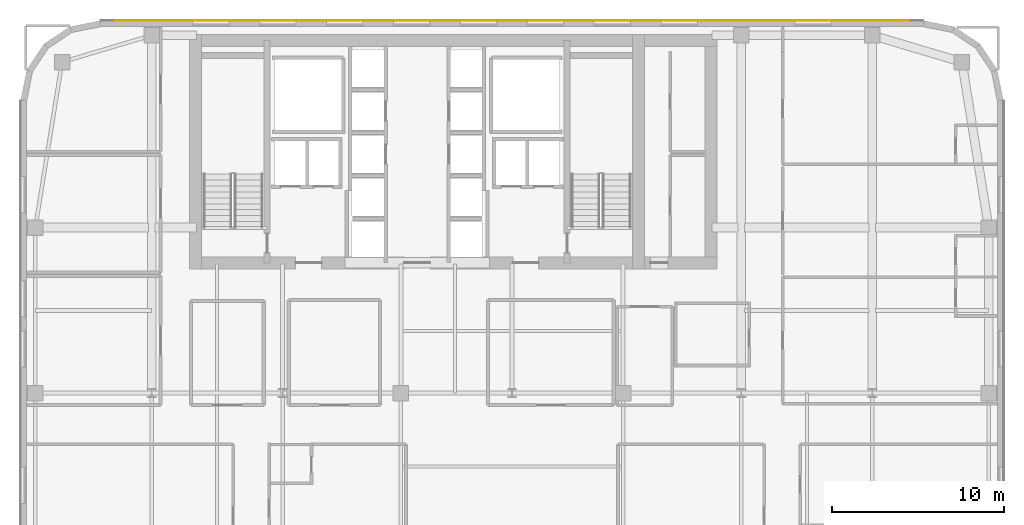
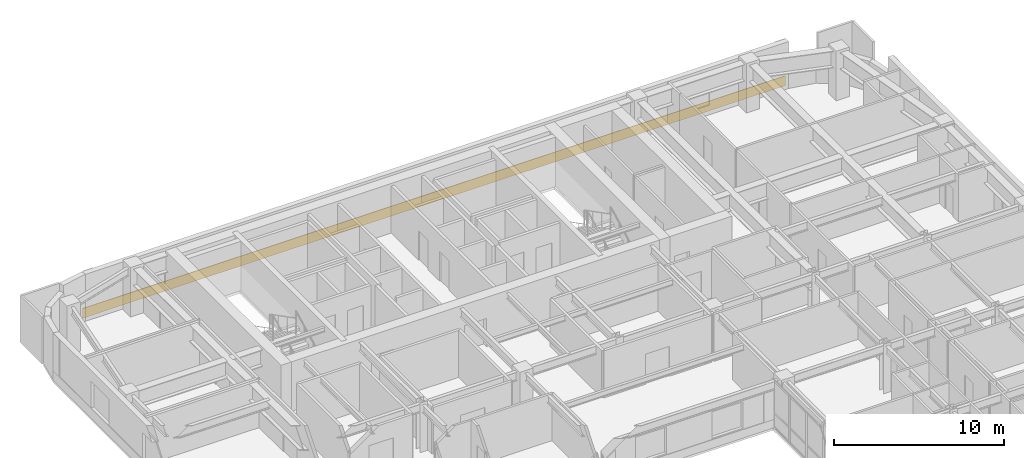
# One storey, part 23 of 24: 1 covering.
"""IFC4 building model written with IfcOpenShell, lengths in metres."""

import ifcopenshell
import ifcopenshell.guid

model = None  # the IFC model being written
_history = None  # IfcOwnerHistory: only IFC2X3 demands one
_inside = {}  # id of a spatial element -> (the spatial element, [elements in it])
_under = {}  # id of a project, library or spatial element -> (it, [spatial elements below it])
_declared = {}  # id of a project -> (the project, [libraries it declares])
_typed = {}  # id of a type object -> (the type object, [elements of that type])
_made_of = {}  # id of a material, layer set ... -> (it, [elements and type objects made of it])


def new_model(schema):
    """Start an empty IFC model of exactly this schema.

    Asked for "IFC4X3", IfcOpenShell would pick the latest addendum, in which some entities
    have other attributes; the version numbers below select the first issue.
    IFC2X3 requires an IfcOwnerHistory on every rooted entity: one is made here for all.
    """
    global model, _history
    if schema == "IFC4X3":
        model = ifcopenshell.file(schema_version=(4, 3, 0, 0))
    else:
        model = ifcopenshell.file(schema=schema)
    _inside.clear()
    _under.clear()
    _declared.clear()
    _typed.clear()
    _made_of.clear()
    _history = None
    if model.schema == "IFC2X3":
        org = make("IfcOrganization", Name="unknown")
        user = make(
            "IfcPersonAndOrganization",
            ThePerson=make("IfcPerson", FamilyName="unknown"),
            TheOrganization=org,
        )
        app = make(
            "IfcApplication",
            ApplicationDeveloper=org,
            Version="unknown",
            ApplicationFullName="unknown",
            ApplicationIdentifier="unknown",
        )
        _history = make(
            "IfcOwnerHistory",
            OwningUser=user,
            OwningApplication=app,
            ChangeAction="ADDED",
            CreationDate=0,
        )
    return model


def make(cls, **values):
    """One entity of the class cls with the attributes given. An attribute that is None is left unset."""
    return model.create_entity(
        cls, **{name: value for name, value in values.items() if value is not None}
    )


def rooted(cls, **values):
    """An entity with a GlobalId (a new one), such as an element, a storey or a relation."""
    return make(cls, GlobalId=ifcopenshell.guid.new(), OwnerHistory=_history, **values)


def si_unit(unit_type, name, prefix=None):
    """IfcSIUnit, for example si_unit("LENGTHUNIT", "METRE", prefix="MILLI")."""
    return make("IfcSIUnit", UnitType=unit_type, Prefix=prefix, Name=name)


def assignment(units):
    """IfcUnitAssignment: the units of a project."""
    return None if units is None else make("IfcUnitAssignment", Units=units)


def point(xyz):
    """IfcCartesianPoint."""
    return None if xyz is None else make("IfcCartesianPoint", Coordinates=xyz)


def direction(xyz):
    """IfcDirection."""
    return None if xyz is None else make("IfcDirection", DirectionRatios=xyz)


def frame(location, z_axis=None, x_axis=None):
    """IfcAxis2Placement3D, a coordinate frame: its origin and axes. An axis left out is left unset."""
    return make(
        "IfcAxis2Placement3D",
        Location=point(location),
        Axis=direction(z_axis),
        RefDirection=direction(x_axis),
    )


def origin():
    """The frame at (0, 0, 0) with its axes left unset."""
    return frame((0.0, 0.0, 0.0))


def place(relative_to, where):
    """IfcLocalPlacement: puts the frame where relative to a parent placement (None: the world)."""
    return make(
        "IfcLocalPlacement", PlacementRelTo=relative_to, RelativePlacement=where
    )


def context(
    kind, dimensions, precision=None, world=None, true_north=None, identifier=None
):
    """IfcGeometricRepresentationContext, for example the 3D "Model" context."""
    return make(
        "IfcGeometricRepresentationContext",
        ContextIdentifier=identifier,
        ContextType=kind,
        CoordinateSpaceDimension=dimensions,
        Precision=precision,
        WorldCoordinateSystem=world,
        TrueNorth=true_north,
    )


def subcontext(parent, identifier, kind, view, scale=None):
    """IfcGeometricRepresentationSubContext, for example "Body" below "Model"."""
    return make(
        "IfcGeometricRepresentationSubContext",
        ContextIdentifier=identifier,
        ContextType=kind,
        ParentContext=parent,
        TargetScale=scale,
        TargetView=view,
    )


def project(units=None, contexts=None):
    """IfcProject with its units and contexts."""
    return rooted(
        "IfcProject",
        Name="project",
        RepresentationContexts=contexts,
        UnitsInContext=assignment(units),
    )


def spatial(cls, under=None, at=None, **own):
    """A site, building, storey or space (cls), placed at a placement, below another one or the project."""
    s = rooted(cls, ObjectPlacement=at, **own)
    if under is not None:
        _under.setdefault(under.id(), (under, []))[1].append(s)
    return s


def polyline(points):
    """IfcPolyline through the points."""
    return make("IfcPolyline", Points=[point(p) for p in points])


def outline(outer, holes=None, kind="AREA"):
    """IfcArbitraryClosedProfileDef: a profile drawn as a closed curve; with holes, ...WithVoids."""
    if holes is None:
        return make("IfcArbitraryClosedProfileDef", ProfileType=kind, OuterCurve=outer)
    return make(
        "IfcArbitraryProfileDefWithVoids",
        ProfileType=kind,
        OuterCurve=outer,
        InnerCurves=holes,
    )


def extrude(swept, where, along, depth):
    """IfcExtrudedAreaSolid: the profile swept, set in the frame where, extruded along a direction by depth."""
    return make(
        "IfcExtrudedAreaSolid",
        SweptArea=swept,
        Position=where,
        ExtrudedDirection=direction(along),
        Depth=depth,
    )


def shape(context_of_items, identifier, shape_type, items):
    """IfcShapeRepresentation: the items that make up one representation, for example the "Body"."""
    return make(
        "IfcShapeRepresentation",
        ContextOfItems=context_of_items,
        RepresentationIdentifier=identifier,
        RepresentationType=shape_type,
        Items=items,
    )


def material(Name=None, Category=None):
    """IfcMaterial."""
    return make("IfcMaterial", Name=Name, Category=Category)


def layer(
    of_material, thickness, ventilated=None, Name=None, Category=None, Priority=None
):
    """IfcMaterialLayer: one layer of a wall or slab, of a material (None: an air gap)."""
    return make(
        "IfcMaterialLayer",
        Material=of_material,
        LayerThickness=thickness,
        IsVentilated=ventilated,
        Name=Name,
        Category=Category,
        Priority=Priority,
    )


def layer_set(layers, Name=None):
    """IfcMaterialLayerSet."""
    return make("IfcMaterialLayerSet", MaterialLayers=layers, LayerSetName=Name)


def made_of(thing, what):
    """Note that an element or type object is made of a material, layer set ...; save() writes the relation."""
    if what is not None:
        _made_of.setdefault(what.id(), (what, []))[1].append(thing)
    return thing


def type_object(cls, material=None, **own):
    """A type object (cls), such as IfcWallType, which elements share."""
    return made_of(rooted(cls, **own), material)


def element(
    cls,
    number,
    at=None,
    inside=None,
    cuts=None,
    type_object=None,
    material=None,
    context=None,
    identifier="Body",
    shape_type=None,
    held_by="IfcProductDefinitionShape",
    body=None,
    shapes=None,
    **own,
):
    """One element of the class cls, such as IfcWall. Its Tag is "e" and its number.

    at: its placement. inside: the storey or other place that contains it. cuts: it is an
    opening in that element (IfcRelVoidsElement). A single representation is given by context,
    identifier, shape_type and body (its items); several are given by shapes. held_by: the class
    of the entity that holds the representations. save() writes the other relations.
    """
    e = rooted(cls, Tag="e%d" % number, ObjectPlacement=at, **own)
    if body is not None:
        shapes = [shape(context, identifier, shape_type, body)]
    if shapes is not None:
        e.Representation = make(held_by, Representations=shapes)
    if inside is not None:
        _inside.setdefault(inside.id(), (inside, []))[1].append(e)
    if cuts is not None:
        rooted(
            "IfcRelVoidsElement", RelatingBuildingElement=cuts, RelatedOpeningElement=e
        )
    if type_object is not None:
        _typed.setdefault(type_object.id(), (type_object, []))[1].append(e)
    return made_of(e, material)


def aggregate(whole, parts):
    """IfcRelAggregates: a whole, such as a stair, and the parts it consists of."""
    return rooted("IfcRelAggregates", RelatingObject=whole, RelatedObjects=parts)


def save(model, path):
    """Write the relations noted so far, then the file.

    IfcRelAggregates (storeys below a building ...), IfcRelContainedInSpatialStructure (elements
    in a storey), IfcRelDefinesByType, IfcRelAssociatesMaterial and IfcRelDeclares: one each for
    every whole, place, type object, material and project.
    """
    for whole, parts in _under.values():
        aggregate(whole, parts)
    for where, things in _inside.values():
        rooted(
            "IfcRelContainedInSpatialStructure",
            RelatedElements=things,
            RelatingStructure=where,
        )
    for kind, things in _typed.values():
        rooted("IfcRelDefinesByType", RelatedObjects=things, RelatingType=kind)
    for what, things in _made_of.values():
        rooted("IfcRelAssociatesMaterial", RelatedObjects=things, RelatingMaterial=what)
    for by, libraries in _declared.values():
        rooted("IfcRelDeclares", RelatingContext=by, RelatedDefinitions=libraries)
    model.write(path)


model = new_model("IFC4")

# Units and contexts
model_context = context("Model", 3, precision=1e-05, world=origin(), true_north=direction((0.0, 1.0)))
body_context = subcontext(model_context, "Body", "Model", "MODEL_VIEW")
ifc_project = project(units=[si_unit("LENGTHUNIT", "METRE"), si_unit("AREAUNIT", "SQUARE_METRE"), si_unit("VOLUMEUNIT", "CUBIC_METRE"), si_unit("PLANEANGLEUNIT", "RADIAN"), si_unit("MASSUNIT", "GRAM", prefix="KILO")], contexts=[model_context])

# Site, building, storey
site_placement = place(None, origin())
site = spatial("IfcSite", under=ifc_project, at=site_placement, CompositionType="ELEMENT")
building_placement = place(site_placement, origin())
building = spatial("IfcBuilding", under=site, at=building_placement, Name="Tolvann Quenvar Hotel", CompositionType="ELEMENT")
storey_placement = place(building_placement, frame((0.0, 0.0, 139.949951171875)))
storey = spatial("IfcBuildingStorey", under=building, at=storey_placement, Name="L36", CompositionType="ELEMENT", Elevation=139.949951171875)

# Covering
ifc_material = material(Name="Moulded buff architectural terracotta spandrel cladding", Category="masonry")
ifc_layer = layer(ifc_material, 0.0400390625)
ifc_layer_set = layer_set([ifc_layer], Name="Moulded buff architectural terracotta spandrel cladding")
covering_type = type_object("IfcCoveringType", Name="COV_CLAD_TERRA_40", PredefinedType="CLADDING", material=ifc_layer_set)
covering_placement = place(storey_placement, origin())
element("IfcCovering", 1, at=covering_placement, inside=storey, type_object=covering_type, Name="Terracotta Spandrel Cladding (L36-E18)", PredefinedType="CLADDING", context=body_context, shape_type="SweptSolid", body=[
    extrude(outline(polyline([(52.3427734375, 46.0), (4.6572265625, 46.0), (4.6572265625, 46.0400390625), (52.3427734375, 46.0400390625), (52.3427734375, 46.0)])), origin(), (0.0, 0.0, 1.0), 0.699951171875),
])

save(model, "model.ifc")
